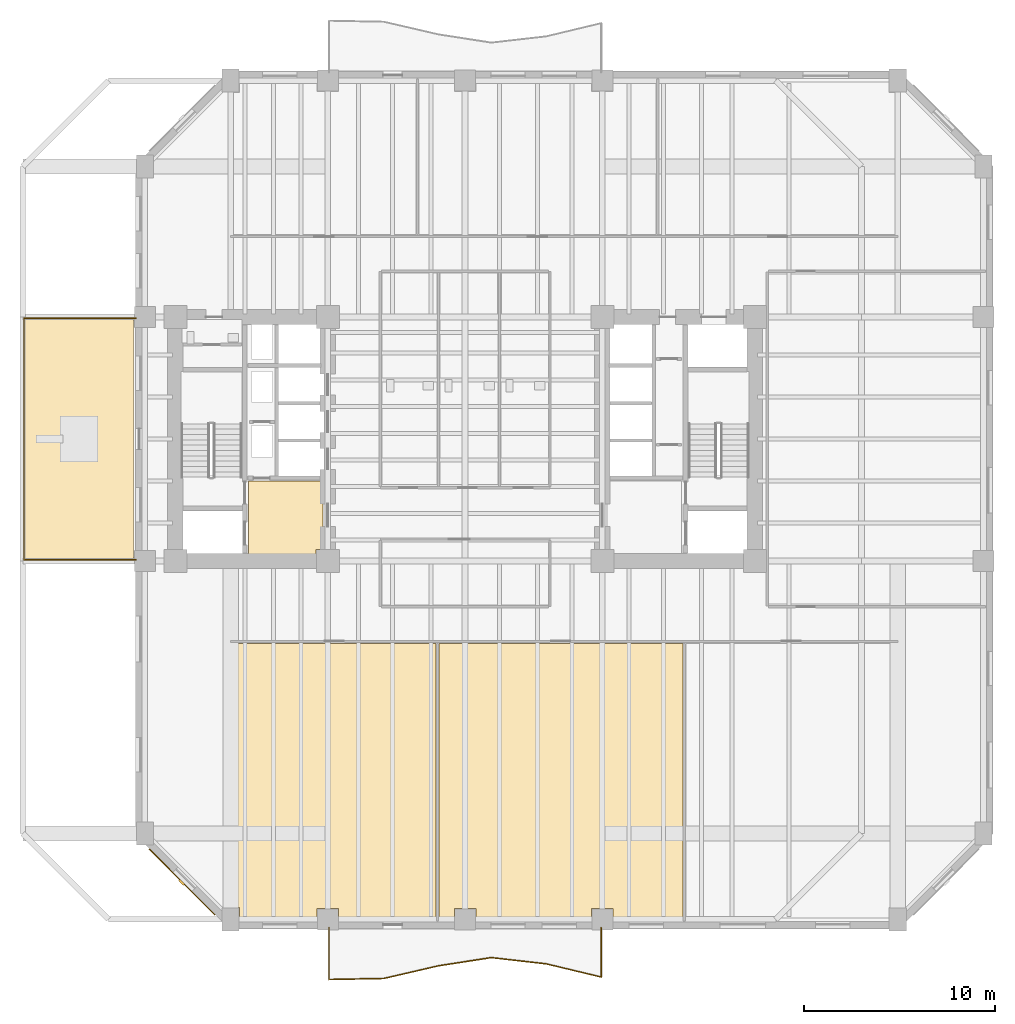
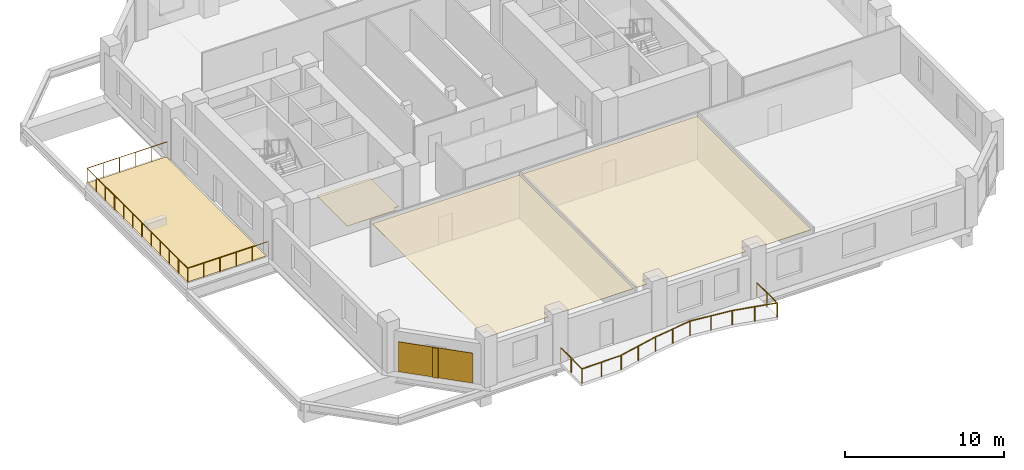
# One storey, part 7 of 11: 5 coverings, 2 railings, 1 shading device.
"""IFC4 building model written with IfcOpenShell, lengths in metres."""

import ifcopenshell
import ifcopenshell.guid

model = None  # the IFC model being written
_history = None  # IfcOwnerHistory: only IFC2X3 demands one
_inside = {}  # id of a spatial element -> (the spatial element, [elements in it])
_under = {}  # id of a project, library or spatial element -> (it, [spatial elements below it])
_declared = {}  # id of a project -> (the project, [libraries it declares])
_typed = {}  # id of a type object -> (the type object, [elements of that type])
_made_of = {}  # id of a material, layer set ... -> (it, [elements and type objects made of it])


def new_model(schema):
    """Start an empty IFC model of exactly this schema.

    Asked for "IFC4X3", IfcOpenShell would pick the latest addendum, in which some entities
    have other attributes; the version numbers below select the first issue.
    IFC2X3 requires an IfcOwnerHistory on every rooted entity: one is made here for all.
    """
    global model, _history
    if schema == "IFC4X3":
        model = ifcopenshell.file(schema_version=(4, 3, 0, 0))
    else:
        model = ifcopenshell.file(schema=schema)
    _inside.clear()
    _under.clear()
    _declared.clear()
    _typed.clear()
    _made_of.clear()
    _history = None
    if model.schema == "IFC2X3":
        org = make("IfcOrganization", Name="unknown")
        user = make(
            "IfcPersonAndOrganization",
            ThePerson=make("IfcPerson", FamilyName="unknown"),
            TheOrganization=org,
        )
        app = make(
            "IfcApplication",
            ApplicationDeveloper=org,
            Version="unknown",
            ApplicationFullName="unknown",
            ApplicationIdentifier="unknown",
        )
        _history = make(
            "IfcOwnerHistory",
            OwningUser=user,
            OwningApplication=app,
            ChangeAction="ADDED",
            CreationDate=0,
        )
    return model


def make(cls, **values):
    """One entity of the class cls with the attributes given. An attribute that is None is left unset."""
    return model.create_entity(
        cls, **{name: value for name, value in values.items() if value is not None}
    )


def rooted(cls, **values):
    """An entity with a GlobalId (a new one), such as an element, a storey or a relation."""
    return make(cls, GlobalId=ifcopenshell.guid.new(), OwnerHistory=_history, **values)


def si_unit(unit_type, name, prefix=None):
    """IfcSIUnit, for example si_unit("LENGTHUNIT", "METRE", prefix="MILLI")."""
    return make("IfcSIUnit", UnitType=unit_type, Prefix=prefix, Name=name)


def assignment(units):
    """IfcUnitAssignment: the units of a project."""
    return None if units is None else make("IfcUnitAssignment", Units=units)


def point(xyz):
    """IfcCartesianPoint."""
    return None if xyz is None else make("IfcCartesianPoint", Coordinates=xyz)


def direction(xyz):
    """IfcDirection."""
    return None if xyz is None else make("IfcDirection", DirectionRatios=xyz)


def frame(location, z_axis=None, x_axis=None):
    """IfcAxis2Placement3D, a coordinate frame: its origin and axes. An axis left out is left unset."""
    return make(
        "IfcAxis2Placement3D",
        Location=point(location),
        Axis=direction(z_axis),
        RefDirection=direction(x_axis),
    )


def frame_2d(location, x_axis=None):
    """IfcAxis2Placement2D, a coordinate frame in the plane: its origin and x axis."""
    return make(
        "IfcAxis2Placement2D", Location=point(location), RefDirection=direction(x_axis)
    )


def origin():
    """The frame at (0, 0, 0) with its axes left unset."""
    return frame((0.0, 0.0, 0.0))


def origin_2d():
    """The frame at (0, 0) in the plane with its x axis left unset."""
    return frame_2d((0.0, 0.0))


def place(relative_to, where):
    """IfcLocalPlacement: puts the frame where relative to a parent placement (None: the world)."""
    return make(
        "IfcLocalPlacement", PlacementRelTo=relative_to, RelativePlacement=where
    )


def context(
    kind, dimensions, precision=None, world=None, true_north=None, identifier=None
):
    """IfcGeometricRepresentationContext, for example the 3D "Model" context."""
    return make(
        "IfcGeometricRepresentationContext",
        ContextIdentifier=identifier,
        ContextType=kind,
        CoordinateSpaceDimension=dimensions,
        Precision=precision,
        WorldCoordinateSystem=world,
        TrueNorth=true_north,
    )


def subcontext(parent, identifier, kind, view, scale=None):
    """IfcGeometricRepresentationSubContext, for example "Body" below "Model"."""
    return make(
        "IfcGeometricRepresentationSubContext",
        ContextIdentifier=identifier,
        ContextType=kind,
        ParentContext=parent,
        TargetScale=scale,
        TargetView=view,
    )


def project(units=None, contexts=None):
    """IfcProject with its units and contexts."""
    return rooted(
        "IfcProject",
        Name="project",
        RepresentationContexts=contexts,
        UnitsInContext=assignment(units),
    )


def spatial(cls, under=None, at=None, **own):
    """A site, building, storey or space (cls), placed at a placement, below another one or the project."""
    s = rooted(cls, ObjectPlacement=at, **own)
    if under is not None:
        _under.setdefault(under.id(), (under, []))[1].append(s)
    return s


def polyline(points):
    """IfcPolyline through the points."""
    return make("IfcPolyline", Points=[point(p) for p in points])


def profile(cls, at=None, kind="AREA", **sizes):
    """A parametric profile (cls). Its sizes go by their IFC names, for example OverallWidth=200.0."""
    return make(cls, ProfileType=kind, Position=at, **sizes)


def rectangle(**sizes):
    """IfcRectangleProfileDef."""
    return profile("IfcRectangleProfileDef", **sizes)


def circle(**sizes):
    """IfcCircleProfileDef."""
    return profile("IfcCircleProfileDef", **sizes)


def outline(outer, holes=None, kind="AREA"):
    """IfcArbitraryClosedProfileDef: a profile drawn as a closed curve; with holes, ...WithVoids."""
    if holes is None:
        return make("IfcArbitraryClosedProfileDef", ProfileType=kind, OuterCurve=outer)
    return make(
        "IfcArbitraryProfileDefWithVoids",
        ProfileType=kind,
        OuterCurve=outer,
        InnerCurves=holes,
    )


def extrude(swept, where, along, depth):
    """IfcExtrudedAreaSolid: the profile swept, set in the frame where, extruded along a direction by depth."""
    return make(
        "IfcExtrudedAreaSolid",
        SweptArea=swept,
        Position=where,
        ExtrudedDirection=direction(along),
        Depth=depth,
    )


def shape(context_of_items, identifier, shape_type, items):
    """IfcShapeRepresentation: the items that make up one representation, for example the "Body"."""
    return make(
        "IfcShapeRepresentation",
        ContextOfItems=context_of_items,
        RepresentationIdentifier=identifier,
        RepresentationType=shape_type,
        Items=items,
    )


def material(Name=None, Category=None):
    """IfcMaterial."""
    return make("IfcMaterial", Name=Name, Category=Category)


def layer(
    of_material, thickness, ventilated=None, Name=None, Category=None, Priority=None
):
    """IfcMaterialLayer: one layer of a wall or slab, of a material (None: an air gap)."""
    return make(
        "IfcMaterialLayer",
        Material=of_material,
        LayerThickness=thickness,
        IsVentilated=ventilated,
        Name=Name,
        Category=Category,
        Priority=Priority,
    )


def layer_set(layers, Name=None):
    """IfcMaterialLayerSet."""
    return make("IfcMaterialLayerSet", MaterialLayers=layers, LayerSetName=Name)


def made_of(thing, what):
    """Note that an element or type object is made of a material, layer set ...; save() writes the relation."""
    if what is not None:
        _made_of.setdefault(what.id(), (what, []))[1].append(thing)
    return thing


def type_object(cls, material=None, **own):
    """A type object (cls), such as IfcWallType, which elements share."""
    return made_of(rooted(cls, **own), material)


def element(
    cls,
    number,
    at=None,
    inside=None,
    cuts=None,
    type_object=None,
    material=None,
    context=None,
    identifier="Body",
    shape_type=None,
    held_by="IfcProductDefinitionShape",
    body=None,
    shapes=None,
    **own,
):
    """One element of the class cls, such as IfcWall. Its Tag is "e" and its number.

    at: its placement. inside: the storey or other place that contains it. cuts: it is an
    opening in that element (IfcRelVoidsElement). A single representation is given by context,
    identifier, shape_type and body (its items); several are given by shapes. held_by: the class
    of the entity that holds the representations. save() writes the other relations.
    """
    e = rooted(cls, Tag="e%d" % number, ObjectPlacement=at, **own)
    if body is not None:
        shapes = [shape(context, identifier, shape_type, body)]
    if shapes is not None:
        e.Representation = make(held_by, Representations=shapes)
    if inside is not None:
        _inside.setdefault(inside.id(), (inside, []))[1].append(e)
    if cuts is not None:
        rooted(
            "IfcRelVoidsElement", RelatingBuildingElement=cuts, RelatedOpeningElement=e
        )
    if type_object is not None:
        _typed.setdefault(type_object.id(), (type_object, []))[1].append(e)
    return made_of(e, material)


def aggregate(whole, parts):
    """IfcRelAggregates: a whole, such as a stair, and the parts it consists of."""
    return rooted("IfcRelAggregates", RelatingObject=whole, RelatedObjects=parts)


def save(model, path):
    """Write the relations noted so far, then the file.

    IfcRelAggregates (storeys below a building ...), IfcRelContainedInSpatialStructure (elements
    in a storey), IfcRelDefinesByType, IfcRelAssociatesMaterial and IfcRelDeclares: one each for
    every whole, place, type object, material and project.
    """
    for whole, parts in _under.values():
        aggregate(whole, parts)
    for where, things in _inside.values():
        rooted(
            "IfcRelContainedInSpatialStructure",
            RelatedElements=things,
            RelatingStructure=where,
        )
    for kind, things in _typed.values():
        rooted("IfcRelDefinesByType", RelatedObjects=things, RelatingType=kind)
    for what, things in _made_of.values():
        rooted("IfcRelAssociatesMaterial", RelatedObjects=things, RelatingMaterial=what)
    for by, libraries in _declared.values():
        rooted("IfcRelDeclares", RelatingContext=by, RelatedDefinitions=libraries)
    model.write(path)


model = new_model("IFC4")

# Units and contexts
model_context = context("Model", 3, precision=1e-05, world=origin(), true_north=direction((0.0, 1.0)))
body_context = subcontext(model_context, "Body", "Model", "MODEL_VIEW")
ifc_project = project(units=[si_unit("LENGTHUNIT", "METRE"), si_unit("AREAUNIT", "SQUARE_METRE"), si_unit("VOLUMEUNIT", "CUBIC_METRE"), si_unit("PLANEANGLEUNIT", "RADIAN"), si_unit("MASSUNIT", "GRAM", prefix="KILO")], contexts=[model_context])

# Site, building, storey
site_placement = place(None, origin())
site = spatial("IfcSite", under=ifc_project, at=site_placement, CompositionType="ELEMENT")
building_placement = place(site_placement, origin())
building = spatial("IfcBuilding", under=site, at=building_placement, Name="Kranthara Brick Stack", CompositionType="ELEMENT")
storey_placement = place(building_placement, frame((0.0, 0.0, 47.699951171875)))
storey = spatial("IfcBuildingStorey", under=building, at=storey_placement, Name="L11", CompositionType="ELEMENT", Elevation=47.699951171875)

# Coverings
ifc_material_1 = material(Name="Perforated mineral-fibre acoustic ceiling tile", Category="other")
ifc_layer_1 = layer(ifc_material_1, 0.02490234375)
ifc_layer_set_1 = layer_set([ifc_layer_1], Name="Perforated mineral-fibre acoustic ceiling tile")
covering_type_1 = type_object("IfcCoveringType", Name="COV-CEIL-ACOUSTIC", PredefinedType="CEILING", material=ifc_layer_set_1)
covering_1_placement = place(storey_placement, frame((0.0, 0.0, 3.330078125)))
element("IfcCovering", 1, at=covering_1_placement, inside=storey, type_object=covering_type_1, Name="L11 L11 Open Plan Workspace 1 Acoustic Ceiling", PredefinedType="CEILING", context=body_context, shape_type="SweptSolid", body=[
    extrude(outline(polyline([(26.469970703125, 16.47998046875), (26.469970703125, 2.070068359375), (21.360107421875, 2.070068359375), (21.360107421875, 2.56005859375), (20.239990234375, 2.56005859375), (20.239990234375, 2.070068359375), (16.159912109375, 2.070068359375), (16.159912109375, 2.610107421875), (15.780029296875, 2.610107421875), (15.780029296875, 16.47998046875), (26.469970703125, 16.47998046875)])), origin(), (0.0, 0.0, 1.0), 0.02490234375),
])
covering_2_placement = place(storey_placement, frame((0.0, 0.0, 3.330078125)))
element("IfcCovering", 2, at=covering_2_placement, inside=storey, type_object=covering_type_1, Name="L11 L11 Boardroom 2 Acoustic Ceiling", PredefinedType="CEILING", context=body_context, shape_type="SweptSolid", body=[
    extrude(outline(polyline([(26.6298828125, 16.47998046875), (39.419921875, 16.47998046875), (39.419921875, 2.070068359375), (35.760009765625, 2.070068359375), (35.760009765625, 2.56005859375), (34.639892578125, 2.56005859375), (34.639892578125, 2.070068359375), (28.56005859375, 2.070068359375), (28.56005859375, 2.56005859375), (27.43994140625, 2.56005859375), (27.43994140625, 2.070068359375), (26.6298828125, 2.070068359375), (26.6298828125, 16.47998046875)])), origin(), (0.0, 0.0, 1.0), 0.02490234375),
])
ifc_material_2 = material(Name="Warm buff kiln-fired brick slip rainscreen", Category="masonry")
ifc_layer_2 = layer(ifc_material_2, 0.044921875)
ifc_layer_set_2 = layer_set([ifc_layer_2], Name="Warm buff kiln-fired brick slip rainscreen")
covering_type_2 = type_object("IfcCoveringType", Name="COV-CLAD-BRICK", PredefinedType="CLADDING", material=ifc_layer_set_2)
covering_3_placement = place(storey_placement, frame((13.156494140625, 3.95654296875, 0.0498046875), z_axis=(0.0, 0.0, 1.0), x_axis=(-0.707106781187, 0.707106781187, 0.0)))
element("IfcCovering", 3, at=covering_3_placement, inside=storey, type_object=covering_type_2, Name="L11 Chamfer Brick Rainscreen Cladding SW", PredefinedType="CLADDING", context=body_context, shape_type="SweptSolid", body=[
    extrude(rectangle(XDim=4.876953125, YDim=0.044921875, at=origin_2d()), origin(), (0.0, 0.0, 1.0), 2.300048828125),
])
ifc_material_3 = material(Name="Honed terrazzo and porcelain floor finish", Category="stone")
ifc_layer_3 = layer(ifc_material_3, 0.030029296875)
ifc_layer_set_3 = layer_set([ifc_layer_3], Name="Honed terrazzo and porcelain floor finish")
covering_type_3 = type_object("IfcCoveringType", Name="COV-FLOR-STONE", PredefinedType="FLOORING", material=ifc_layer_set_3)
covering_4_placement = place(storey_placement, origin())
element("IfcCovering", 4, at=covering_4_placement, inside=storey, type_object=covering_type_3, Name="L11 Lift Lobby Stone Flooring", PredefinedType="FLOORING", context=body_context, shape_type="SweptSolid", body=[
    extrude(outline(polyline([(16.64990234375, 21.14990234375), (16.64990234375, 25.0), (20.550048828125, 25.0), (20.550048828125, 21.409912109375), (20.18994140625, 21.409912109375), (20.18994140625, 21.14990234375), (16.64990234375, 21.14990234375)])), origin(), (0.0, 0.0, 1.0), 0.030029296875),
])
ifc_material_4 = material(Name="EPDM waterproofing membrane and rigid insulation", Category="other")
ifc_layer_4 = layer(ifc_material_4, 0.0400390625)
ifc_layer_set_4 = layer_set([ifc_layer_4], Name="EPDM waterproofing membrane and rigid insulation")
covering_type_4 = type_object("IfcCoveringType", Name="COV-ROOF-MEMB", PredefinedType="ROOFING", material=ifc_layer_set_4)
covering_5_placement = place(storey_placement, frame((0.0, 0.0, -0.0400390625)))
element("IfcCovering", 5, at=covering_5_placement, inside=storey, type_object=covering_type_4, Name="L11 Sky Garden Waterproofing Membrane", PredefinedType="ROOFING", context=body_context, shape_type="SweptSolid", body=[
    extrude(outline(polyline([(4.89990234375, 20.89990234375), (10.60009765625, 20.89990234375), (10.60009765625, 33.5), (4.89990234375, 33.5), (4.89990234375, 20.89990234375)])), origin(), (0.0, 0.0, 1.0), 0.0400390625),
])

# Railings
ifc_material_5 = material(Name="Bronze anodised aluminium and laminated glass balustrade", Category="aluminium")
railing_type_1 = type_object("IfcRailingType", Name="RL-BALC-1120", PredefinedType="BALUSTRADE", material=ifc_material_5)
railing_1_placement = place(storey_placement, frame((35.139892578125, 1.56005859375, 0.0)))
element("IfcRailing", 6, at=railing_1_placement, inside=storey, type_object=railing_type_1, Name="L11 South Rippling Balcony Balustrade", PredefinedType="BALUSTRADE", context=body_context, shape_type="SweptSolid", body=[
    extrude(circle(Radius=0.02392578125, at=origin_2d()), frame((0.0, 0.0, 1.09619140625), z_axis=(0.000188661444, -0.999999982203, 0.0), x_axis=(0.999999982203, 0.000188661444, 0.0)), (0.0, 0.0, 1.0), 2.588134765625),
    extrude(circle(Radius=0.02392578125, at=origin_2d()), frame((0.00048828125, -2.588134765625, 1.09619140625), z_axis=(-0.972397027004, 0.233332427822, 0.0), x_axis=(-0.233332427822, -0.972397027004, 0.0)), (0.0, 0.0, 1.0), 2.962158203125),
    extrude(circle(Radius=0.02392578125, at=origin_2d()), frame((-2.8798828125, -1.89697265625, 1.09619140625), z_axis=(-0.993551664215, 0.113380291652, 0.0), x_axis=(-0.113380291652, -0.993551664215, 0.0)), (0.0, 0.0, 1.0), 2.8984375),
    extrude(circle(Radius=0.02392578125, at=origin_2d()), frame((-5.759521484375, -1.568359375, 1.09619140625), z_axis=(-0.988230892392, -0.152969615681, 0.0), x_axis=(0.152969615681, -0.988230892392, 0.0)), (0.0, 0.0, 1.0), 2.794677734375),
    extrude(circle(Radius=0.02392578125, at=origin_2d()), frame((-8.521240234375, -1.995849609375, 1.09619140625), z_axis=(-0.974216925629, -0.225613345835, 0.0), x_axis=(0.225613345835, -0.974216925629, 0.0)), (0.0, 0.0, 1.0), 2.956298828125),
    extrude(circle(Radius=0.02392578125, at=origin_2d()), frame((-11.4013671875, -2.662841796875, 1.09619140625), z_axis=(-0.999818043365, -0.019075643158, 0.0), x_axis=(0.019075643158, -0.999818043365, 0.0)), (0.0, 0.0, 1.0), 2.879638671875),
    extrude(circle(Radius=0.02392578125, at=origin_2d()), frame((-14.280517578125, -2.7177734375, 1.09619140625), z_axis=(0.000269493343, 0.999999963687, 0.0), x_axis=(-0.999999963687, 0.000269493343, 0.0)), (0.0, 0.0, 1.0), 2.7177734375),
    extrude(circle(Radius=0.02099609375, at=origin_2d()), origin(), (0.0, 0.0, 1.0), 1.072021484375),
    extrude(circle(Radius=0.02099609375, at=origin_2d()), frame((0.000244140625, -1.2939453125, 0.0)), (0.0, 0.0, 1.0), 1.072021484375),
    extrude(circle(Radius=0.02099609375, at=origin_2d()), frame((0.00048828125, -2.588134765625, 0.0)), (0.0, 0.0, 1.0), 1.072021484375),
    extrude(circle(Radius=0.02099609375, at=origin_2d()), frame((-1.439697265625, -2.24267578125, 0.0)), (0.0, 0.0, 1.0), 1.072021484375),
    extrude(circle(Radius=0.02099609375, at=origin_2d()), frame((-2.8798828125, -1.89697265625, 0.0)), (0.0, 0.0, 1.0), 1.072021484375),
    extrude(circle(Radius=0.02099609375, at=origin_2d()), frame((-4.31982421875, -1.732666015625, 0.0)), (0.0, 0.0, 1.0), 1.072021484375),
    extrude(circle(Radius=0.02099609375, at=origin_2d()), frame((-5.759521484375, -1.568359375, 0.0)), (0.0, 0.0, 1.0), 1.072021484375),
    extrude(circle(Radius=0.02099609375, at=origin_2d()), frame((-7.140380859375, -1.7822265625, 0.0)), (0.0, 0.0, 1.0), 1.072021484375),
    extrude(circle(Radius=0.02099609375, at=origin_2d()), frame((-8.521240234375, -1.995849609375, 0.0)), (0.0, 0.0, 1.0), 1.072021484375),
    extrude(circle(Radius=0.02099609375, at=origin_2d()), frame((-9.96142578125, -2.329345703125, 0.0)), (0.0, 0.0, 1.0), 1.072021484375),
    extrude(circle(Radius=0.02099609375, at=origin_2d()), frame((-11.4013671875, -2.662841796875, 0.0)), (0.0, 0.0, 1.0), 1.072021484375),
    extrude(circle(Radius=0.02099609375, at=origin_2d()), frame((-12.8408203125, -2.6904296875, 0.0)), (0.0, 0.0, 1.0), 1.072021484375),
    extrude(circle(Radius=0.02099609375, at=origin_2d()), frame((-14.280517578125, -2.7177734375, 0.0)), (0.0, 0.0, 1.0), 1.072021484375),
    extrude(circle(Radius=0.02099609375, at=origin_2d()), frame((-14.2802734375, -1.35888671875, 0.0)), (0.0, 0.0, 1.0), 1.072021484375),
    extrude(circle(Radius=0.02099609375, at=origin_2d()), frame((-14.27978515625, 0.0, 0.0)), (0.0, 0.0, 1.0), 1.072021484375),
])
ifc_material_6 = material(Name="Bronze anodised aluminium guardrail", Category="aluminium")
railing_type_2 = type_object("IfcRailingType", Name="RL-TERR-1100", PredefinedType="GUARDRAIL", material=ifc_material_6)
railing_2_placement = place(storey_placement, frame((10.739990234375, 20.860107421875, 0.0)))
element("IfcRailing", 7, at=railing_2_placement, inside=storey, type_object=railing_type_2, Name="L11 Sky Garden Perimeter Guardrail", PredefinedType="GUARDRAIL", context=body_context, shape_type="SweptSolid", body=[
    extrude(circle(Radius=0.02392578125, at=origin_2d()), frame((0.0, 0.0, 1.09619140625), z_axis=(-1.0, 0.0, 0.0), x_axis=(0.0, -1.0, 0.0)), (0.0, 0.0, 1.0), 5.8798828125),
    extrude(circle(Radius=0.02392578125, at=origin_2d()), frame((-5.8798828125, 0.0, 1.09619140625), z_axis=(0.0, 1.0, 0.0), x_axis=(-1.0, 0.0, 0.0)), (0.0, 0.0, 1.0), 12.679931640625),
    extrude(circle(Radius=0.02392578125, at=origin_2d()), frame((-5.8798828125, 12.679931640625, 1.09619140625), z_axis=(1.0, 0.0, 0.0), x_axis=(0.0, 1.0, 0.0)), (0.0, 0.0, 1.0), 5.8798828125),
    extrude(circle(Radius=0.02099609375, at=origin_2d()), origin(), (0.0, 0.0, 1.0), 1.072021484375),
    extrude(circle(Radius=0.02099609375, at=origin_2d()), frame((-1.176025390625, 0.0, 0.0)), (0.0, 0.0, 1.0), 1.072021484375),
    extrude(circle(Radius=0.02099609375, at=origin_2d()), frame((-2.35205078125, 0.0, 0.0)), (0.0, 0.0, 1.0), 1.072021484375),
    extrude(circle(Radius=0.02099609375, at=origin_2d()), frame((-3.52783203125, 0.0, 0.0)), (0.0, 0.0, 1.0), 1.072021484375),
    extrude(circle(Radius=0.02099609375, at=origin_2d()), frame((-4.703857421875, 0.0, 0.0)), (0.0, 0.0, 1.0), 1.072021484375),
    extrude(circle(Radius=0.02099609375, at=origin_2d()), frame((-5.8798828125, 0.0, 0.0)), (0.0, 0.0, 1.0), 1.072021484375),
    extrude(circle(Radius=0.02099609375, at=origin_2d()), frame((-5.8798828125, 1.15283203125, 0.0)), (0.0, 0.0, 1.0), 1.072021484375),
    extrude(circle(Radius=0.02099609375, at=origin_2d()), frame((-5.8798828125, 2.305419921875, 0.0)), (0.0, 0.0, 1.0), 1.072021484375),
    extrude(circle(Radius=0.02099609375, at=origin_2d()), frame((-5.8798828125, 3.458251953125, 0.0)), (0.0, 0.0, 1.0), 1.072021484375),
    extrude(circle(Radius=0.02099609375, at=origin_2d()), frame((-5.8798828125, 4.61083984375, 0.0)), (0.0, 0.0, 1.0), 1.072021484375),
    extrude(circle(Radius=0.02099609375, at=origin_2d()), frame((-5.8798828125, 5.763671875, 0.0)), (0.0, 0.0, 1.0), 1.072021484375),
    extrude(circle(Radius=0.02099609375, at=origin_2d()), frame((-5.8798828125, 6.916259765625, 0.0)), (0.0, 0.0, 1.0), 1.072021484375),
    extrude(circle(Radius=0.02099609375, at=origin_2d()), frame((-5.8798828125, 8.069091796875, 0.0)), (0.0, 0.0, 1.0), 1.072021484375),
    extrude(circle(Radius=0.02099609375, at=origin_2d()), frame((-5.8798828125, 9.2216796875, 0.0)), (0.0, 0.0, 1.0), 1.072021484375),
    extrude(circle(Radius=0.02099609375, at=origin_2d()), frame((-5.8798828125, 10.37451171875, 0.0)), (0.0, 0.0, 1.0), 1.072021484375),
    extrude(circle(Radius=0.02099609375, at=origin_2d()), frame((-5.8798828125, 11.527099609375, 0.0)), (0.0, 0.0, 1.0), 1.072021484375),
    extrude(circle(Radius=0.02099609375, at=origin_2d()), frame((-5.8798828125, 12.679931640625, 0.0)), (0.0, 0.0, 1.0), 1.072021484375),
    extrude(circle(Radius=0.02099609375, at=origin_2d()), frame((-4.703857421875, 12.679931640625, 0.0)), (0.0, 0.0, 1.0), 1.072021484375),
    extrude(circle(Radius=0.02099609375, at=origin_2d()), frame((-3.52783203125, 12.679931640625, 0.0)), (0.0, 0.0, 1.0), 1.072021484375),
    extrude(circle(Radius=0.02099609375, at=origin_2d()), frame((-2.35205078125, 12.679931640625, 0.0)), (0.0, 0.0, 1.0), 1.072021484375),
    extrude(circle(Radius=0.02099609375, at=origin_2d()), frame((-1.176025390625, 12.679931640625, 0.0)), (0.0, 0.0, 1.0), 1.072021484375),
    extrude(circle(Radius=0.02099609375, at=origin_2d()), frame((0.0, 12.679931640625, 0.0)), (0.0, 0.0, 1.0), 1.072021484375),
])

# Shading device
ifc_material_7 = material(Name="Kiln-fired terracotta aerodynamic wind fin", Category="masonry")
shading_device_type = type_object("IfcShadingDeviceType", Name="SHD-BAFFLE-CORNER", PredefinedType="SHUTTER", material=ifc_material_7)
shading_device_placement = place(storey_placement, frame((13.13525390625, 3.935302734375, 0.0498046875), z_axis=(0.0, 0.0, 1.0), x_axis=(-0.707106781187, 0.707106781187, 0.0)))
element("IfcShadingDevice", 8, at=shading_device_placement, inside=storey, type_object=shading_device_type, Name="L11 Chamfer Wind-Baffle Fin SW", PredefinedType="SHUTTER", context=body_context, shape_type="SweptSolid", body=[
    extrude(rectangle(XDim=0.35009765625, YDim=0.1201171875, at=origin_2d()), origin(), (0.0, 0.0, 1.0), 2.300048828125),
])

save(model, "model.ifc")
